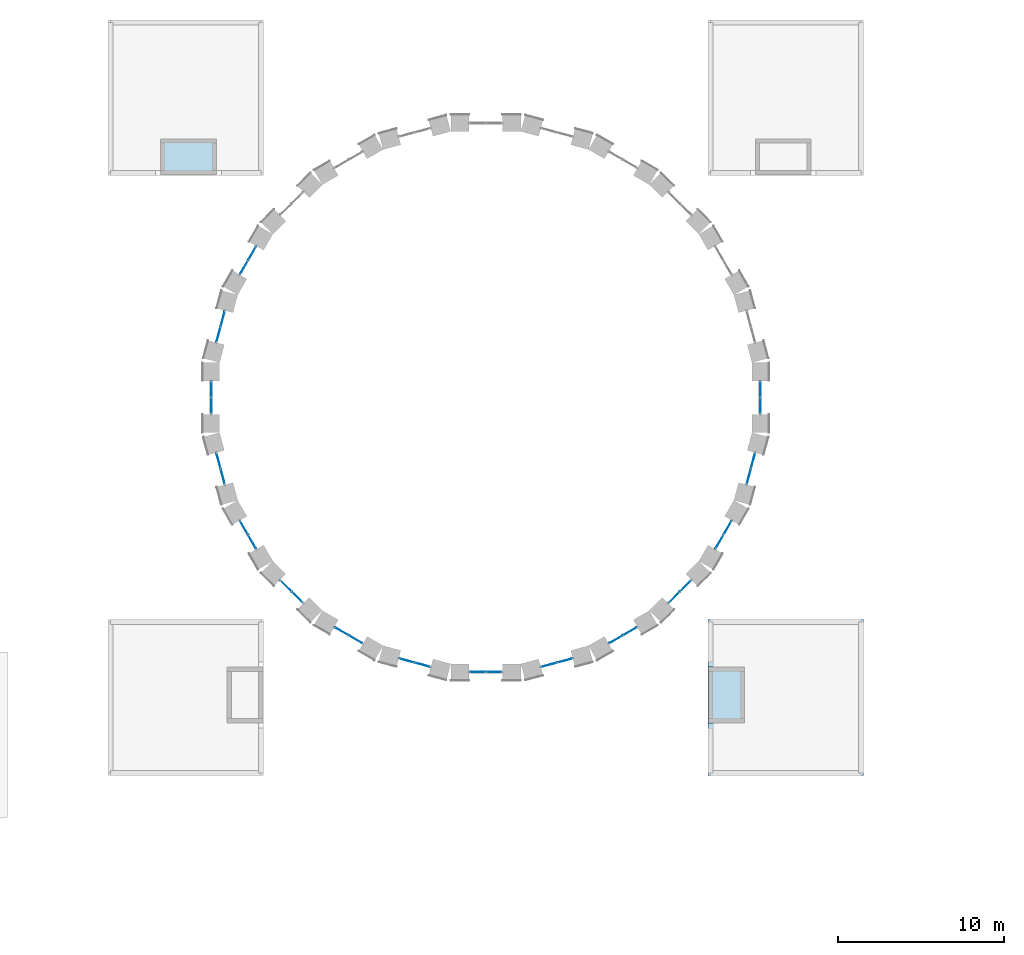
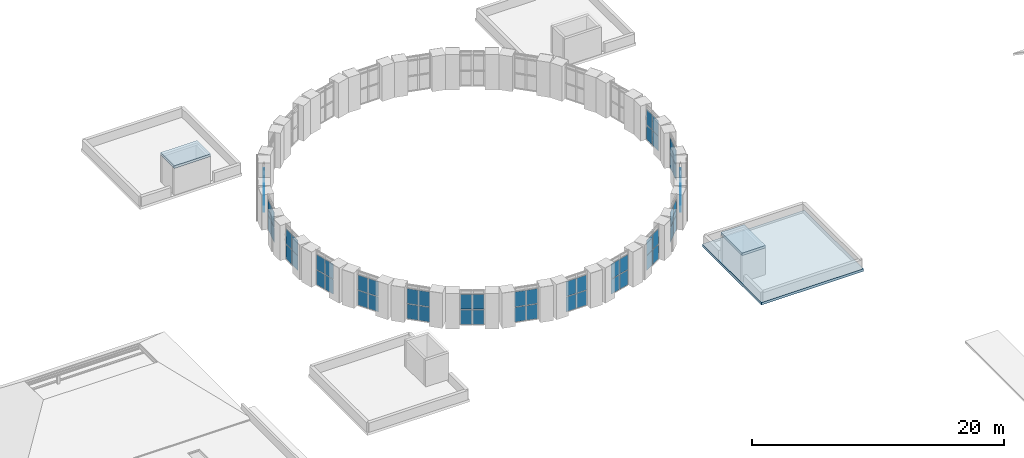
# One storey, part 20 of 42: 60 plates, 3 slabs, 15 elements without a shape of their own.
"""IFC4 building model written with IfcOpenShell, lengths in metres."""

from ifc_helpers import new_model, si_unit, direction, frame, origin, origin_2d, place, context, subcontext, project, spatial, polyline, rectangle, outline, extrude, material, layer, layer_set, type_object, element, aggregate, save


model = new_model("IFC4")

# Units and contexts
model_context = context("Model", 3, precision=1e-05, world=origin(), true_north=direction((0.0, 1.0)))
body_context = subcontext(model_context, "Body", "Model", "MODEL_VIEW")
ifc_project = project(units=[si_unit("LENGTHUNIT", "METRE"), si_unit("AREAUNIT", "SQUARE_METRE"), si_unit("VOLUMEUNIT", "CUBIC_METRE"), si_unit("PLANEANGLEUNIT", "RADIAN"), si_unit("MASSUNIT", "GRAM", prefix="KILO")], contexts=[model_context])

# Site, building, storey
site_placement = place(None, origin())
site = spatial("IfcSite", under=ifc_project, at=site_placement, CompositionType="ELEMENT")
building_placement = place(site_placement, origin())
building = spatial("IfcBuilding", under=site, at=building_placement, Name="Golden Quay Civic Hall", CompositionType="ELEMENT")
storey_placement = place(building_placement, frame((0.0, 0.0, 22.800048828125)))
storey = spatial("IfcBuildingStorey", under=building, at=storey_placement, Name="L05", CompositionType="ELEMENT", Elevation=22.800048828125)

# Slabs
ifc_material_1 = material(Name="Concrete C40/50", Category="concrete")
ifc_layer_1 = layer(ifc_material_1, 0.25)
ifc_layer_set_1 = layer_set([ifc_layer_1], Name="Core roof slab 250")
slab_type = type_object("IfcSlabType", Name="Core roof slab 250", PredefinedType="ROOF", material=ifc_layer_set_1)
slab_1_placement = place(storey_placement, frame((0.0, 0.0, -0.25)))
element("IfcSlab", 1, at=slab_1_placement, inside=storey, type_object=slab_type, Name="Core roof slab SE", PredefinedType="ROOF", context=body_context, shape_type="SweptSolid", body=[
    extrude(outline(polyline([(98.85009765625, 62.800048828125), (108.199951171875, 62.800048828125), (108.199951171875, 72.14990234375), (98.85009765625, 72.14990234375), (98.85009765625, 62.800048828125)])), origin(), (0.0, 0.0, 1.0), 0.25),
])
slab_2_placement = place(storey_placement, frame((0.0, 0.0, 2.599853515625)))
element("IfcSlab", 2, at=slab_2_placement, inside=storey, type_object=slab_type, Name="Lift overrun roof SE", PredefinedType="ROOF", context=body_context, shape_type="SweptSolid", body=[
    extrude(outline(polyline([(98.89990234375, 65.949951171875), (101.050048828125, 65.949951171875), (101.050048828125, 69.300048828125), (98.89990234375, 69.300048828125), (98.89990234375, 65.949951171875)])), origin(), (0.0, 0.0, 1.0), 0.25),
])
slab_3_placement = place(storey_placement, frame((0.0, 0.0, 2.599853515625)))
element("IfcSlab", 3, at=slab_3_placement, inside=storey, type_object=slab_type, Name="Lift overrun roof NW", PredefinedType="ROOF", context=body_context, shape_type="SweptSolid", body=[
    extrude(outline(polyline([(65.949951171875, 98.89990234375), (69.300048828125, 98.89990234375), (69.300048828125, 101.050048828125), (65.949951171875, 101.050048828125), (65.949951171875, 98.89990234375)])), origin(), (0.0, 0.0, 1.0), 0.25),
])

# Curtain wall, plates
ifc_material_2 = material(Name="Glass, laminated double glazed", Category="glass")
ifc_layer_2 = layer(ifc_material_2, 0.199951171875)
ifc_layer_set_2 = layer_set([ifc_layer_2], Name="Glazed drum clerestory curtain wall")
curtain_wall_type = type_object("IfcCurtainWallType", Name="Glazed drum clerestory curtain wall", PredefinedType="NOTDEFINED", material=ifc_layer_set_2)
curtain_wall_1_placement = place(storey_placement, origin())
curtain_wall_1 = element("IfcCurtainWall", 4, at=curtain_wall_1_placement, inside=storey, type_object=curtain_wall_type, Name="Clerestory curtain wall 10", PredefinedType="NOTDEFINED")
ifc_material_3 = material(Name="Glass, laminated double glazed", Category="glass")
ifc_layer_3 = layer(ifc_material_3, 0.028076171875)
ifc_layer_set_3 = layer_set([ifc_layer_3], Name="Double glazed curtain wall panel 28")
plate_type = type_object("IfcPlateType", Name="Double glazed curtain wall panel 28", PredefinedType="CURTAIN_PANEL", material=ifc_layer_set_3)
plate_1_placement = place(storey_placement, frame((71.453125, 94.169921875, 0.35986328125), z_axis=(0.0, 0.0, 1.0), x_axis=(-0.500011000366, -0.866019052627, 0.0)))
plate_1 = element("IfcPlate", 5, at=plate_1_placement, type_object=plate_type, Name="CW5 panel 1.1", PredefinedType="CURTAIN_PANEL", context=body_context, shape_type="SweptSolid", body=[
    extrude(rectangle(XDim=0.909912109375, YDim=0.028076171875, at=origin_2d()), origin(), (0.0, 0.0, 1.0), 1.409912109375),
])
plate_2_placement = place(storey_placement, frame((71.453125, 94.169921875, 1.830078125), z_axis=(0.0, 0.0, 1.0), x_axis=(-0.500011000366, -0.866019052627, 0.0)))
plate_2 = element("IfcPlate", 6, at=plate_2_placement, type_object=plate_type, Name="CW5 panel 1.2", PredefinedType="CURTAIN_PANEL", context=body_context, shape_type="SweptSolid", body=[
    extrude(rectangle(XDim=0.909912109375, YDim=0.028076171875, at=origin_2d()), origin(), (0.0, 0.0, 1.0), 1.43994140625),
])
plate_3_placement = place(storey_placement, frame((70.968017578125, 93.330078125, 0.35986328125), z_axis=(0.0, 0.0, 1.0), x_axis=(-0.500011000366, -0.866019052627, 0.0)))
plate_3 = element("IfcPlate", 7, at=plate_3_placement, type_object=plate_type, Name="CW5 panel 2.1", PredefinedType="CURTAIN_PANEL", context=body_context, shape_type="SweptSolid", body=[
    extrude(rectangle(XDim=0.909912109375, YDim=0.028076171875, at=origin_2d()), origin(), (0.0, 0.0, 1.0), 1.409912109375),
])
plate_4_placement = place(storey_placement, frame((70.968017578125, 93.330078125, 1.830078125), z_axis=(0.0, 0.0, 1.0), x_axis=(-0.500011000366, -0.866019052627, 0.0)))
plate_4 = element("IfcPlate", 8, at=plate_4_placement, type_object=plate_type, Name="CW5 panel 2.2", PredefinedType="CURTAIN_PANEL", context=body_context, shape_type="SweptSolid", body=[
    extrude(rectangle(XDim=0.909912109375, YDim=0.028076171875, at=origin_2d()), origin(), (0.0, 0.0, 1.0), 1.43994140625),
])
aggregate(curtain_wall_1, [plate_1, plate_2, plate_3, plate_4])

curtain_wall_2_placement = place(storey_placement, origin())
curtain_wall_2 = element("IfcCurtainWall", 9, at=curtain_wall_2_placement, inside=storey, type_object=curtain_wall_type, Name="Clerestory curtain wall 11", PredefinedType="NOTDEFINED")
plate_5_placement = place(storey_placement, frame((69.687744140625, 90.239013671875, 0.35986328125), z_axis=(0.0, 0.0, 1.0), x_axis=(-0.258807731996, -0.965928857556, 0.0)))
plate_5 = element("IfcPlate", 10, at=plate_5_placement, type_object=plate_type, Name="CW5 panel 1.1", PredefinedType="CURTAIN_PANEL", context=body_context, shape_type="SweptSolid", body=[
    extrude(rectangle(XDim=0.909912109375, YDim=0.028076171875, at=origin_2d()), origin(), (0.0, 0.0, 1.0), 1.409912109375),
])
plate_6_placement = place(storey_placement, frame((69.687744140625, 90.239013671875, 1.830078125), z_axis=(0.0, 0.0, 1.0), x_axis=(-0.258807731996, -0.965928857556, 0.0)))
plate_6 = element("IfcPlate", 11, at=plate_6_placement, type_object=plate_type, Name="CW5 panel 1.2", PredefinedType="CURTAIN_PANEL", context=body_context, shape_type="SweptSolid", body=[
    extrude(rectangle(XDim=0.909912109375, YDim=0.028076171875, at=origin_2d()), origin(), (0.0, 0.0, 1.0), 1.43994140625),
])
plate_7_placement = place(storey_placement, frame((69.436767578125, 89.302001953125, 0.35986328125), z_axis=(0.0, 0.0, 1.0), x_axis=(-0.258807731996, -0.965928857556, 0.0)))
plate_7 = element("IfcPlate", 12, at=plate_7_placement, type_object=plate_type, Name="CW5 panel 2.1", PredefinedType="CURTAIN_PANEL", context=body_context, shape_type="SweptSolid", body=[
    extrude(rectangle(XDim=0.909912109375, YDim=0.028076171875, at=origin_2d()), origin(), (0.0, 0.0, 1.0), 1.409912109375),
])
plate_8_placement = place(storey_placement, frame((69.436767578125, 89.302001953125, 1.830078125), z_axis=(0.0, 0.0, 1.0), x_axis=(-0.258807731996, -0.965928857556, 0.0)))
plate_8 = element("IfcPlate", 13, at=plate_8_placement, type_object=plate_type, Name="CW5 panel 2.2", PredefinedType="CURTAIN_PANEL", context=body_context, shape_type="SweptSolid", body=[
    extrude(rectangle(XDim=0.909912109375, YDim=0.028076171875, at=origin_2d()), origin(), (0.0, 0.0, 1.0), 1.43994140625),
])
aggregate(curtain_wall_2, [plate_5, plate_6, plate_7, plate_8])

curtain_wall_3_placement = place(storey_placement, origin())
curtain_wall_3 = element("IfcCurtainWall", 14, at=curtain_wall_3_placement, inside=storey, type_object=curtain_wall_type, Name="Clerestory curtain wall 12", PredefinedType="NOTDEFINED")
plate_9_placement = place(storey_placement, frame((69.0, 85.985107421875, 0.35986328125), z_axis=(0.0, 0.0, 1.0), x_axis=(0.0, -1.0, 0.0)))
plate_9 = element("IfcPlate", 15, at=plate_9_placement, type_object=plate_type, Name="CW5 panel 1.1", PredefinedType="CURTAIN_PANEL", context=body_context, shape_type="SweptSolid", body=[
    extrude(rectangle(XDim=0.909912109375, YDim=0.028076171875, at=origin_2d()), origin(), (0.0, 0.0, 1.0), 1.409912109375),
])
plate_10_placement = place(storey_placement, frame((69.0, 85.985107421875, 1.830078125), z_axis=(0.0, 0.0, 1.0), x_axis=(0.0, -1.0, 0.0)))
plate_10 = element("IfcPlate", 16, at=plate_10_placement, type_object=plate_type, Name="CW5 panel 1.2", PredefinedType="CURTAIN_PANEL", context=body_context, shape_type="SweptSolid", body=[
    extrude(rectangle(XDim=0.909912109375, YDim=0.028076171875, at=origin_2d()), origin(), (0.0, 0.0, 1.0), 1.43994140625),
])
plate_11_placement = place(storey_placement, frame((69.0, 85.014892578125, 0.35986328125), z_axis=(0.0, 0.0, 1.0), x_axis=(0.0, -1.0, 0.0)))
plate_11 = element("IfcPlate", 17, at=plate_11_placement, type_object=plate_type, Name="CW5 panel 2.1", PredefinedType="CURTAIN_PANEL", context=body_context, shape_type="SweptSolid", body=[
    extrude(rectangle(XDim=0.909912109375, YDim=0.028076171875, at=origin_2d()), origin(), (0.0, 0.0, 1.0), 1.409912109375),
])
plate_12_placement = place(storey_placement, frame((69.0, 85.014892578125, 1.830078125), z_axis=(0.0, 0.0, 1.0), x_axis=(0.0, -1.0, 0.0)))
plate_12 = element("IfcPlate", 18, at=plate_12_placement, type_object=plate_type, Name="CW5 panel 2.2", PredefinedType="CURTAIN_PANEL", context=body_context, shape_type="SweptSolid", body=[
    extrude(rectangle(XDim=0.909912109375, YDim=0.028076171875, at=origin_2d()), origin(), (0.0, 0.0, 1.0), 1.43994140625),
])
aggregate(curtain_wall_3, [plate_9, plate_10, plate_11, plate_12])

curtain_wall_4_placement = place(storey_placement, origin())
curtain_wall_4 = element("IfcCurtainWall", 19, at=curtain_wall_4_placement, inside=storey, type_object=curtain_wall_type, Name="Clerestory curtain wall 13", PredefinedType="NOTDEFINED")
plate_13_placement = place(storey_placement, frame((69.436767578125, 81.697998046875, 0.35986328125), z_axis=(0.0, 0.0, 1.0), x_axis=(0.258807731996, -0.965928857556, 0.0)))
plate_13 = element("IfcPlate", 20, at=plate_13_placement, type_object=plate_type, Name="CW5 panel 1.1", PredefinedType="CURTAIN_PANEL", context=body_context, shape_type="SweptSolid", body=[
    extrude(rectangle(XDim=0.909912109375, YDim=0.028076171875, at=origin_2d()), origin(), (0.0, 0.0, 1.0), 1.409912109375),
])
plate_14_placement = place(storey_placement, frame((69.436767578125, 81.697998046875, 1.830078125), z_axis=(0.0, 0.0, 1.0), x_axis=(0.258807731996, -0.965928857556, 0.0)))
plate_14 = element("IfcPlate", 21, at=plate_14_placement, type_object=plate_type, Name="CW5 panel 1.2", PredefinedType="CURTAIN_PANEL", context=body_context, shape_type="SweptSolid", body=[
    extrude(rectangle(XDim=0.909912109375, YDim=0.028076171875, at=origin_2d()), origin(), (0.0, 0.0, 1.0), 1.43994140625),
])
plate_15_placement = place(storey_placement, frame((69.687744140625, 80.760986328125, 0.35986328125), z_axis=(0.0, 0.0, 1.0), x_axis=(0.258807731996, -0.965928857556, 0.0)))
plate_15 = element("IfcPlate", 22, at=plate_15_placement, type_object=plate_type, Name="CW5 panel 2.1", PredefinedType="CURTAIN_PANEL", context=body_context, shape_type="SweptSolid", body=[
    extrude(rectangle(XDim=0.909912109375, YDim=0.028076171875, at=origin_2d()), origin(), (0.0, 0.0, 1.0), 1.409912109375),
])
plate_16_placement = place(storey_placement, frame((69.687744140625, 80.760986328125, 1.830078125), z_axis=(0.0, 0.0, 1.0), x_axis=(0.258807731996, -0.965928857556, 0.0)))
plate_16 = element("IfcPlate", 23, at=plate_16_placement, type_object=plate_type, Name="CW5 panel 2.2", PredefinedType="CURTAIN_PANEL", context=body_context, shape_type="SweptSolid", body=[
    extrude(rectangle(XDim=0.909912109375, YDim=0.028076171875, at=origin_2d()), origin(), (0.0, 0.0, 1.0), 1.43994140625),
])
aggregate(curtain_wall_4, [plate_13, plate_14, plate_15, plate_16])

curtain_wall_5_placement = place(storey_placement, origin())
curtain_wall_5 = element("IfcCurtainWall", 24, at=curtain_wall_5_placement, inside=storey, type_object=curtain_wall_type, Name="Clerestory curtain wall 14", PredefinedType="NOTDEFINED")
plate_17_placement = place(storey_placement, frame((70.968017578125, 77.669921875, 0.35986328125), z_axis=(0.0, 0.0, 1.0), x_axis=(0.500011000366, -0.866019052627, 0.0)))
plate_17 = element("IfcPlate", 25, at=plate_17_placement, type_object=plate_type, Name="CW5 panel 1.1", PredefinedType="CURTAIN_PANEL", context=body_context, shape_type="SweptSolid", body=[
    extrude(rectangle(XDim=0.909912109375, YDim=0.028076171875, at=origin_2d()), origin(), (0.0, 0.0, 1.0), 1.409912109375),
])
plate_18_placement = place(storey_placement, frame((70.968017578125, 77.669921875, 1.830078125), z_axis=(0.0, 0.0, 1.0), x_axis=(0.500011000366, -0.866019052627, 0.0)))
plate_18 = element("IfcPlate", 26, at=plate_18_placement, type_object=plate_type, Name="CW5 panel 1.2", PredefinedType="CURTAIN_PANEL", context=body_context, shape_type="SweptSolid", body=[
    extrude(rectangle(XDim=0.909912109375, YDim=0.028076171875, at=origin_2d()), origin(), (0.0, 0.0, 1.0), 1.43994140625),
])
plate_19_placement = place(storey_placement, frame((71.453125, 76.830078125, 0.35986328125), z_axis=(0.0, 0.0, 1.0), x_axis=(0.500011000366, -0.866019052627, 0.0)))
plate_19 = element("IfcPlate", 27, at=plate_19_placement, type_object=plate_type, Name="CW5 panel 2.1", PredefinedType="CURTAIN_PANEL", context=body_context, shape_type="SweptSolid", body=[
    extrude(rectangle(XDim=0.909912109375, YDim=0.028076171875, at=origin_2d()), origin(), (0.0, 0.0, 1.0), 1.409912109375),
])
plate_20_placement = place(storey_placement, frame((71.453125, 76.830078125, 1.830078125), z_axis=(0.0, 0.0, 1.0), x_axis=(0.500011000366, -0.866019052627, 0.0)))
plate_20 = element("IfcPlate", 28, at=plate_20_placement, type_object=plate_type, Name="CW5 panel 2.2", PredefinedType="CURTAIN_PANEL", context=body_context, shape_type="SweptSolid", body=[
    extrude(rectangle(XDim=0.909912109375, YDim=0.028076171875, at=origin_2d()), origin(), (0.0, 0.0, 1.0), 1.43994140625),
])
aggregate(curtain_wall_5, [plate_17, plate_18, plate_19, plate_20])

curtain_wall_6_placement = place(storey_placement, origin())
curtain_wall_6 = element("IfcCurtainWall", 29, at=curtain_wall_6_placement, inside=storey, type_object=curtain_wall_type, Name="Clerestory curtain wall 15", PredefinedType="NOTDEFINED")
plate_21_placement = place(storey_placement, frame((73.48974609375, 74.175537109375, 0.35986328125), z_axis=(0.0, 0.0, 1.0), x_axis=(0.707106781187, -0.707106781187, 0.0)))
plate_21 = element("IfcPlate", 30, at=plate_21_placement, type_object=plate_type, Name="CW5 panel 1.1", PredefinedType="CURTAIN_PANEL", context=body_context, shape_type="SweptSolid", body=[
    extrude(rectangle(XDim=0.909912109375, YDim=0.028076171875, at=origin_2d()), origin(), (0.0, 0.0, 1.0), 1.409912109375),
])
plate_22_placement = place(storey_placement, frame((73.48974609375, 74.175537109375, 1.830078125), z_axis=(0.0, 0.0, 1.0), x_axis=(0.707106781187, -0.707106781187, 0.0)))
plate_22 = element("IfcPlate", 31, at=plate_22_placement, type_object=plate_type, Name="CW5 panel 1.2", PredefinedType="CURTAIN_PANEL", context=body_context, shape_type="SweptSolid", body=[
    extrude(rectangle(XDim=0.909912109375, YDim=0.028076171875, at=origin_2d()), origin(), (0.0, 0.0, 1.0), 1.43994140625),
])
plate_23_placement = place(storey_placement, frame((74.175537109375, 73.48974609375, 0.35986328125), z_axis=(0.0, 0.0, 1.0), x_axis=(0.707106781187, -0.707106781187, 0.0)))
plate_23 = element("IfcPlate", 32, at=plate_23_placement, type_object=plate_type, Name="CW5 panel 2.1", PredefinedType="CURTAIN_PANEL", context=body_context, shape_type="SweptSolid", body=[
    extrude(rectangle(XDim=0.909912109375, YDim=0.028076171875, at=origin_2d()), origin(), (0.0, 0.0, 1.0), 1.409912109375),
])
plate_24_placement = place(storey_placement, frame((74.175537109375, 73.48974609375, 1.830078125), z_axis=(0.0, 0.0, 1.0), x_axis=(0.707106781187, -0.707106781187, 0.0)))
plate_24 = element("IfcPlate", 33, at=plate_24_placement, type_object=plate_type, Name="CW5 panel 2.2", PredefinedType="CURTAIN_PANEL", context=body_context, shape_type="SweptSolid", body=[
    extrude(rectangle(XDim=0.909912109375, YDim=0.028076171875, at=origin_2d()), origin(), (0.0, 0.0, 1.0), 1.43994140625),
])
aggregate(curtain_wall_6, [plate_21, plate_22, plate_23, plate_24])

curtain_wall_7_placement = place(storey_placement, origin())
curtain_wall_7 = element("IfcCurtainWall", 34, at=curtain_wall_7_placement, inside=storey, type_object=curtain_wall_type, Name="Clerestory curtain wall 16", PredefinedType="NOTDEFINED")
plate_25_placement = place(storey_placement, frame((76.830078125, 71.453125, 0.35986328125), z_axis=(0.0, 0.0, 1.0), x_axis=(0.866019052627, -0.500011000366, 0.0)))
plate_25 = element("IfcPlate", 35, at=plate_25_placement, type_object=plate_type, Name="CW5 panel 1.1", PredefinedType="CURTAIN_PANEL", context=body_context, shape_type="SweptSolid", body=[
    extrude(rectangle(XDim=0.909912109375, YDim=0.028076171875, at=origin_2d()), origin(), (0.0, 0.0, 1.0), 1.409912109375),
])
plate_26_placement = place(storey_placement, frame((76.830078125, 71.453125, 1.830078125), z_axis=(0.0, 0.0, 1.0), x_axis=(0.866019052627, -0.500011000366, 0.0)))
plate_26 = element("IfcPlate", 36, at=plate_26_placement, type_object=plate_type, Name="CW5 panel 1.2", PredefinedType="CURTAIN_PANEL", context=body_context, shape_type="SweptSolid", body=[
    extrude(rectangle(XDim=0.909912109375, YDim=0.028076171875, at=origin_2d()), origin(), (0.0, 0.0, 1.0), 1.43994140625),
])
plate_27_placement = place(storey_placement, frame((77.669921875, 70.968017578125, 0.35986328125), z_axis=(0.0, 0.0, 1.0), x_axis=(0.866019052627, -0.500011000366, 0.0)))
plate_27 = element("IfcPlate", 37, at=plate_27_placement, type_object=plate_type, Name="CW5 panel 2.1", PredefinedType="CURTAIN_PANEL", context=body_context, shape_type="SweptSolid", body=[
    extrude(rectangle(XDim=0.909912109375, YDim=0.028076171875, at=origin_2d()), origin(), (0.0, 0.0, 1.0), 1.409912109375),
])
plate_28_placement = place(storey_placement, frame((77.669921875, 70.968017578125, 1.830078125), z_axis=(0.0, 0.0, 1.0), x_axis=(0.866019052627, -0.500011000366, 0.0)))
plate_28 = element("IfcPlate", 38, at=plate_28_placement, type_object=plate_type, Name="CW5 panel 2.2", PredefinedType="CURTAIN_PANEL", context=body_context, shape_type="SweptSolid", body=[
    extrude(rectangle(XDim=0.909912109375, YDim=0.028076171875, at=origin_2d()), origin(), (0.0, 0.0, 1.0), 1.43994140625),
])
aggregate(curtain_wall_7, [plate_25, plate_26, plate_27, plate_28])

curtain_wall_8_placement = place(storey_placement, origin())
curtain_wall_8 = element("IfcCurtainWall", 39, at=curtain_wall_8_placement, inside=storey, type_object=curtain_wall_type, Name="Clerestory curtain wall 17", PredefinedType="NOTDEFINED")
plate_29_placement = place(storey_placement, frame((80.760986328125, 69.687744140625, 0.35986328125), z_axis=(0.0, 0.0, 1.0), x_axis=(0.965928857556, -0.258807731996, 0.0)))
plate_29 = element("IfcPlate", 40, at=plate_29_placement, type_object=plate_type, Name="CW5 panel 1.1", PredefinedType="CURTAIN_PANEL", context=body_context, shape_type="SweptSolid", body=[
    extrude(rectangle(XDim=0.909912109375, YDim=0.028076171875, at=origin_2d()), origin(), (0.0, 0.0, 1.0), 1.409912109375),
])
plate_30_placement = place(storey_placement, frame((80.760986328125, 69.687744140625, 1.830078125), z_axis=(0.0, 0.0, 1.0), x_axis=(0.965928857556, -0.258807731996, 0.0)))
plate_30 = element("IfcPlate", 41, at=plate_30_placement, type_object=plate_type, Name="CW5 panel 1.2", PredefinedType="CURTAIN_PANEL", context=body_context, shape_type="SweptSolid", body=[
    extrude(rectangle(XDim=0.909912109375, YDim=0.028076171875, at=origin_2d()), origin(), (0.0, 0.0, 1.0), 1.43994140625),
])
plate_31_placement = place(storey_placement, frame((81.697998046875, 69.436767578125, 0.35986328125), z_axis=(0.0, 0.0, 1.0), x_axis=(0.965928857556, -0.258807731996, 0.0)))
plate_31 = element("IfcPlate", 42, at=plate_31_placement, type_object=plate_type, Name="CW5 panel 2.1", PredefinedType="CURTAIN_PANEL", context=body_context, shape_type="SweptSolid", body=[
    extrude(rectangle(XDim=0.909912109375, YDim=0.028076171875, at=origin_2d()), origin(), (0.0, 0.0, 1.0), 1.409912109375),
])
plate_32_placement = place(storey_placement, frame((81.697998046875, 69.436767578125, 1.830078125), z_axis=(0.0, 0.0, 1.0), x_axis=(0.965928857556, -0.258807731996, 0.0)))
plate_32 = element("IfcPlate", 43, at=plate_32_placement, type_object=plate_type, Name="CW5 panel 2.2", PredefinedType="CURTAIN_PANEL", context=body_context, shape_type="SweptSolid", body=[
    extrude(rectangle(XDim=0.909912109375, YDim=0.028076171875, at=origin_2d()), origin(), (0.0, 0.0, 1.0), 1.43994140625),
])
aggregate(curtain_wall_8, [plate_29, plate_30, plate_31, plate_32])

curtain_wall_9_placement = place(storey_placement, origin())
curtain_wall_9 = element("IfcCurtainWall", 44, at=curtain_wall_9_placement, inside=storey, type_object=curtain_wall_type, Name="Clerestory curtain wall 18", PredefinedType="NOTDEFINED")
plate_33_placement = place(storey_placement, frame((85.014892578125, 69.0, 0.35986328125), z_axis=(0.0, 0.0, 1.0), x_axis=(1.0, 0.0, 0.0)))
plate_33 = element("IfcPlate", 45, at=plate_33_placement, type_object=plate_type, Name="CW5 panel 1.1", PredefinedType="CURTAIN_PANEL", context=body_context, shape_type="SweptSolid", body=[
    extrude(rectangle(XDim=0.909912109375, YDim=0.028076171875, at=origin_2d()), origin(), (0.0, 0.0, 1.0), 1.409912109375),
])
plate_34_placement = place(storey_placement, frame((85.014892578125, 69.0, 1.830078125), z_axis=(0.0, 0.0, 1.0), x_axis=(1.0, 0.0, 0.0)))
plate_34 = element("IfcPlate", 46, at=plate_34_placement, type_object=plate_type, Name="CW5 panel 1.2", PredefinedType="CURTAIN_PANEL", context=body_context, shape_type="SweptSolid", body=[
    extrude(rectangle(XDim=0.909912109375, YDim=0.028076171875, at=origin_2d()), origin(), (0.0, 0.0, 1.0), 1.43994140625),
])
plate_35_placement = place(storey_placement, frame((85.985107421875, 69.0, 0.35986328125), z_axis=(0.0, 0.0, 1.0), x_axis=(1.0, 0.0, 0.0)))
plate_35 = element("IfcPlate", 47, at=plate_35_placement, type_object=plate_type, Name="CW5 panel 2.1", PredefinedType="CURTAIN_PANEL", context=body_context, shape_type="SweptSolid", body=[
    extrude(rectangle(XDim=0.909912109375, YDim=0.028076171875, at=origin_2d()), origin(), (0.0, 0.0, 1.0), 1.409912109375),
])
plate_36_placement = place(storey_placement, frame((85.985107421875, 69.0, 1.830078125), z_axis=(0.0, 0.0, 1.0), x_axis=(1.0, 0.0, 0.0)))
plate_36 = element("IfcPlate", 48, at=plate_36_placement, type_object=plate_type, Name="CW5 panel 2.2", PredefinedType="CURTAIN_PANEL", context=body_context, shape_type="SweptSolid", body=[
    extrude(rectangle(XDim=0.909912109375, YDim=0.028076171875, at=origin_2d()), origin(), (0.0, 0.0, 1.0), 1.43994140625),
])
aggregate(curtain_wall_9, [plate_33, plate_34, plate_35, plate_36])

curtain_wall_10_placement = place(storey_placement, origin())
curtain_wall_10 = element("IfcCurtainWall", 49, at=curtain_wall_10_placement, inside=storey, type_object=curtain_wall_type, Name="Clerestory curtain wall 19", PredefinedType="NOTDEFINED")
plate_37_placement = place(storey_placement, frame((89.302001953125, 69.436767578125, 0.35986328125), z_axis=(0.0, 0.0, 1.0), x_axis=(0.965928857556, 0.258807731996, 0.0)))
plate_37 = element("IfcPlate", 50, at=plate_37_placement, type_object=plate_type, Name="CW5 panel 1.1", PredefinedType="CURTAIN_PANEL", context=body_context, shape_type="SweptSolid", body=[
    extrude(rectangle(XDim=0.909912109375, YDim=0.028076171875, at=origin_2d()), origin(), (0.0, 0.0, 1.0), 1.409912109375),
])
plate_38_placement = place(storey_placement, frame((89.302001953125, 69.436767578125, 1.830078125), z_axis=(0.0, 0.0, 1.0), x_axis=(0.965928857556, 0.258807731996, 0.0)))
plate_38 = element("IfcPlate", 51, at=plate_38_placement, type_object=plate_type, Name="CW5 panel 1.2", PredefinedType="CURTAIN_PANEL", context=body_context, shape_type="SweptSolid", body=[
    extrude(rectangle(XDim=0.909912109375, YDim=0.028076171875, at=origin_2d()), origin(), (0.0, 0.0, 1.0), 1.43994140625),
])
plate_39_placement = place(storey_placement, frame((90.239013671875, 69.687744140625, 0.35986328125), z_axis=(0.0, 0.0, 1.0), x_axis=(0.965928857556, 0.258807731996, 0.0)))
plate_39 = element("IfcPlate", 52, at=plate_39_placement, type_object=plate_type, Name="CW5 panel 2.1", PredefinedType="CURTAIN_PANEL", context=body_context, shape_type="SweptSolid", body=[
    extrude(rectangle(XDim=0.909912109375, YDim=0.028076171875, at=origin_2d()), origin(), (0.0, 0.0, 1.0), 1.409912109375),
])
plate_40_placement = place(storey_placement, frame((90.239013671875, 69.687744140625, 1.830078125), z_axis=(0.0, 0.0, 1.0), x_axis=(0.965928857556, 0.258807731996, 0.0)))
plate_40 = element("IfcPlate", 53, at=plate_40_placement, type_object=plate_type, Name="CW5 panel 2.2", PredefinedType="CURTAIN_PANEL", context=body_context, shape_type="SweptSolid", body=[
    extrude(rectangle(XDim=0.909912109375, YDim=0.028076171875, at=origin_2d()), origin(), (0.0, 0.0, 1.0), 1.43994140625),
])
aggregate(curtain_wall_10, [plate_37, plate_38, plate_39, plate_40])

curtain_wall_11_placement = place(storey_placement, origin())
curtain_wall_11 = element("IfcCurtainWall", 54, at=curtain_wall_11_placement, inside=storey, type_object=curtain_wall_type, Name="Clerestory curtain wall 20", PredefinedType="NOTDEFINED")
plate_41_placement = place(storey_placement, frame((93.330078125, 70.968017578125, 0.35986328125), z_axis=(0.0, 0.0, 1.0), x_axis=(0.866019052627, 0.500011000366, 0.0)))
plate_41 = element("IfcPlate", 55, at=plate_41_placement, type_object=plate_type, Name="CW5 panel 1.1", PredefinedType="CURTAIN_PANEL", context=body_context, shape_type="SweptSolid", body=[
    extrude(rectangle(XDim=0.909912109375, YDim=0.028076171875, at=origin_2d()), origin(), (0.0, 0.0, 1.0), 1.409912109375),
])
plate_42_placement = place(storey_placement, frame((93.330078125, 70.968017578125, 1.830078125), z_axis=(0.0, 0.0, 1.0), x_axis=(0.866019052627, 0.500011000366, 0.0)))
plate_42 = element("IfcPlate", 56, at=plate_42_placement, type_object=plate_type, Name="CW5 panel 1.2", PredefinedType="CURTAIN_PANEL", context=body_context, shape_type="SweptSolid", body=[
    extrude(rectangle(XDim=0.909912109375, YDim=0.028076171875, at=origin_2d()), origin(), (0.0, 0.0, 1.0), 1.43994140625),
])
plate_43_placement = place(storey_placement, frame((94.169921875, 71.453125, 0.35986328125), z_axis=(0.0, 0.0, 1.0), x_axis=(0.866019052627, 0.500011000366, 0.0)))
plate_43 = element("IfcPlate", 57, at=plate_43_placement, type_object=plate_type, Name="CW5 panel 2.1", PredefinedType="CURTAIN_PANEL", context=body_context, shape_type="SweptSolid", body=[
    extrude(rectangle(XDim=0.909912109375, YDim=0.028076171875, at=origin_2d()), origin(), (0.0, 0.0, 1.0), 1.409912109375),
])
plate_44_placement = place(storey_placement, frame((94.169921875, 71.453125, 1.830078125), z_axis=(0.0, 0.0, 1.0), x_axis=(0.866019052627, 0.500011000366, 0.0)))
plate_44 = element("IfcPlate", 58, at=plate_44_placement, type_object=plate_type, Name="CW5 panel 2.2", PredefinedType="CURTAIN_PANEL", context=body_context, shape_type="SweptSolid", body=[
    extrude(rectangle(XDim=0.909912109375, YDim=0.028076171875, at=origin_2d()), origin(), (0.0, 0.0, 1.0), 1.43994140625),
])
aggregate(curtain_wall_11, [plate_41, plate_42, plate_43, plate_44])

curtain_wall_12_placement = place(storey_placement, origin())
curtain_wall_12 = element("IfcCurtainWall", 59, at=curtain_wall_12_placement, inside=storey, type_object=curtain_wall_type, Name="Clerestory curtain wall 21", PredefinedType="NOTDEFINED")
plate_45_placement = place(storey_placement, frame((96.824462890625, 73.48974609375, 0.35986328125), z_axis=(0.0, 0.0, 1.0), x_axis=(0.707106781187, 0.707106781187, 0.0)))
plate_45 = element("IfcPlate", 60, at=plate_45_placement, type_object=plate_type, Name="CW5 panel 1.1", PredefinedType="CURTAIN_PANEL", context=body_context, shape_type="SweptSolid", body=[
    extrude(rectangle(XDim=0.909912109375, YDim=0.028076171875, at=origin_2d()), origin(), (0.0, 0.0, 1.0), 1.409912109375),
])
plate_46_placement = place(storey_placement, frame((96.824462890625, 73.48974609375, 1.830078125), z_axis=(0.0, 0.0, 1.0), x_axis=(0.707106781187, 0.707106781187, 0.0)))
plate_46 = element("IfcPlate", 61, at=plate_46_placement, type_object=plate_type, Name="CW5 panel 1.2", PredefinedType="CURTAIN_PANEL", context=body_context, shape_type="SweptSolid", body=[
    extrude(rectangle(XDim=0.909912109375, YDim=0.028076171875, at=origin_2d()), origin(), (0.0, 0.0, 1.0), 1.43994140625),
])
plate_47_placement = place(storey_placement, frame((97.51025390625, 74.175537109375, 0.35986328125), z_axis=(0.0, 0.0, 1.0), x_axis=(0.707106781187, 0.707106781187, 0.0)))
plate_47 = element("IfcPlate", 62, at=plate_47_placement, type_object=plate_type, Name="CW5 panel 2.1", PredefinedType="CURTAIN_PANEL", context=body_context, shape_type="SweptSolid", body=[
    extrude(rectangle(XDim=0.909912109375, YDim=0.028076171875, at=origin_2d()), origin(), (0.0, 0.0, 1.0), 1.409912109375),
])
plate_48_placement = place(storey_placement, frame((97.51025390625, 74.175537109375, 1.830078125), z_axis=(0.0, 0.0, 1.0), x_axis=(0.707106781187, 0.707106781187, 0.0)))
plate_48 = element("IfcPlate", 63, at=plate_48_placement, type_object=plate_type, Name="CW5 panel 2.2", PredefinedType="CURTAIN_PANEL", context=body_context, shape_type="SweptSolid", body=[
    extrude(rectangle(XDim=0.909912109375, YDim=0.028076171875, at=origin_2d()), origin(), (0.0, 0.0, 1.0), 1.43994140625),
])
aggregate(curtain_wall_12, [plate_45, plate_46, plate_47, plate_48])

curtain_wall_13_placement = place(storey_placement, origin())
curtain_wall_13 = element("IfcCurtainWall", 64, at=curtain_wall_13_placement, inside=storey, type_object=curtain_wall_type, Name="Clerestory curtain wall 22", PredefinedType="NOTDEFINED")
plate_49_placement = place(storey_placement, frame((99.546875, 76.830078125, 0.35986328125), z_axis=(0.0, 0.0, 1.0), x_axis=(0.500011000366, 0.866019052627, 0.0)))
plate_49 = element("IfcPlate", 65, at=plate_49_placement, type_object=plate_type, Name="CW5 panel 1.1", PredefinedType="CURTAIN_PANEL", context=body_context, shape_type="SweptSolid", body=[
    extrude(rectangle(XDim=0.909912109375, YDim=0.028076171875, at=origin_2d()), origin(), (0.0, 0.0, 1.0), 1.409912109375),
])
plate_50_placement = place(storey_placement, frame((99.546875, 76.830078125, 1.830078125), z_axis=(0.0, 0.0, 1.0), x_axis=(0.500011000366, 0.866019052627, 0.0)))
plate_50 = element("IfcPlate", 66, at=plate_50_placement, type_object=plate_type, Name="CW5 panel 1.2", PredefinedType="CURTAIN_PANEL", context=body_context, shape_type="SweptSolid", body=[
    extrude(rectangle(XDim=0.909912109375, YDim=0.028076171875, at=origin_2d()), origin(), (0.0, 0.0, 1.0), 1.43994140625),
])
plate_51_placement = place(storey_placement, frame((100.031982421875, 77.669921875, 0.35986328125), z_axis=(0.0, 0.0, 1.0), x_axis=(0.500011000366, 0.866019052627, 0.0)))
plate_51 = element("IfcPlate", 67, at=plate_51_placement, type_object=plate_type, Name="CW5 panel 2.1", PredefinedType="CURTAIN_PANEL", context=body_context, shape_type="SweptSolid", body=[
    extrude(rectangle(XDim=0.909912109375, YDim=0.028076171875, at=origin_2d()), origin(), (0.0, 0.0, 1.0), 1.409912109375),
])
plate_52_placement = place(storey_placement, frame((100.031982421875, 77.669921875, 1.830078125), z_axis=(0.0, 0.0, 1.0), x_axis=(0.500011000366, 0.866019052627, 0.0)))
plate_52 = element("IfcPlate", 68, at=plate_52_placement, type_object=plate_type, Name="CW5 panel 2.2", PredefinedType="CURTAIN_PANEL", context=body_context, shape_type="SweptSolid", body=[
    extrude(rectangle(XDim=0.909912109375, YDim=0.028076171875, at=origin_2d()), origin(), (0.0, 0.0, 1.0), 1.43994140625),
])
aggregate(curtain_wall_13, [plate_49, plate_50, plate_51, plate_52])

curtain_wall_14_placement = place(storey_placement, origin())
curtain_wall_14 = element("IfcCurtainWall", 69, at=curtain_wall_14_placement, inside=storey, type_object=curtain_wall_type, Name="Clerestory curtain wall 23", PredefinedType="NOTDEFINED")
plate_53_placement = place(storey_placement, frame((101.312255859375, 80.760986328125, 0.35986328125), z_axis=(0.0, 0.0, 1.0), x_axis=(0.258807731996, 0.965928857556, 0.0)))
plate_53 = element("IfcPlate", 70, at=plate_53_placement, type_object=plate_type, Name="CW5 panel 1.1", PredefinedType="CURTAIN_PANEL", context=body_context, shape_type="SweptSolid", body=[
    extrude(rectangle(XDim=0.909912109375, YDim=0.028076171875, at=origin_2d()), origin(), (0.0, 0.0, 1.0), 1.409912109375),
])
plate_54_placement = place(storey_placement, frame((101.312255859375, 80.760986328125, 1.830078125), z_axis=(0.0, 0.0, 1.0), x_axis=(0.258807731996, 0.965928857556, 0.0)))
plate_54 = element("IfcPlate", 71, at=plate_54_placement, type_object=plate_type, Name="CW5 panel 1.2", PredefinedType="CURTAIN_PANEL", context=body_context, shape_type="SweptSolid", body=[
    extrude(rectangle(XDim=0.909912109375, YDim=0.028076171875, at=origin_2d()), origin(), (0.0, 0.0, 1.0), 1.43994140625),
])
plate_55_placement = place(storey_placement, frame((101.563232421875, 81.697998046875, 0.35986328125), z_axis=(0.0, 0.0, 1.0), x_axis=(0.258807731996, 0.965928857556, 0.0)))
plate_55 = element("IfcPlate", 72, at=plate_55_placement, type_object=plate_type, Name="CW5 panel 2.1", PredefinedType="CURTAIN_PANEL", context=body_context, shape_type="SweptSolid", body=[
    extrude(rectangle(XDim=0.909912109375, YDim=0.028076171875, at=origin_2d()), origin(), (0.0, 0.0, 1.0), 1.409912109375),
])
plate_56_placement = place(storey_placement, frame((101.563232421875, 81.697998046875, 1.830078125), z_axis=(0.0, 0.0, 1.0), x_axis=(0.258807731996, 0.965928857556, 0.0)))
plate_56 = element("IfcPlate", 73, at=plate_56_placement, type_object=plate_type, Name="CW5 panel 2.2", PredefinedType="CURTAIN_PANEL", context=body_context, shape_type="SweptSolid", body=[
    extrude(rectangle(XDim=0.909912109375, YDim=0.028076171875, at=origin_2d()), origin(), (0.0, 0.0, 1.0), 1.43994140625),
])
aggregate(curtain_wall_14, [plate_53, plate_54, plate_55, plate_56])

curtain_wall_15_placement = place(storey_placement, origin())
curtain_wall_15 = element("IfcCurtainWall", 74, at=curtain_wall_15_placement, inside=storey, type_object=curtain_wall_type, Name="Clerestory curtain wall 24", PredefinedType="NOTDEFINED")
plate_57_placement = place(storey_placement, frame((102.0, 85.014892578125, 0.35986328125), z_axis=(0.0, 0.0, 1.0), x_axis=(0.0, 1.0, 0.0)))
plate_57 = element("IfcPlate", 75, at=plate_57_placement, type_object=plate_type, Name="CW5 panel 1.1", PredefinedType="CURTAIN_PANEL", context=body_context, shape_type="SweptSolid", body=[
    extrude(rectangle(XDim=0.909912109375, YDim=0.028076171875, at=origin_2d()), origin(), (0.0, 0.0, 1.0), 1.409912109375),
])
plate_58_placement = place(storey_placement, frame((102.0, 85.014892578125, 1.830078125), z_axis=(0.0, 0.0, 1.0), x_axis=(0.0, 1.0, 0.0)))
plate_58 = element("IfcPlate", 76, at=plate_58_placement, type_object=plate_type, Name="CW5 panel 1.2", PredefinedType="CURTAIN_PANEL", context=body_context, shape_type="SweptSolid", body=[
    extrude(rectangle(XDim=0.909912109375, YDim=0.028076171875, at=origin_2d()), origin(), (0.0, 0.0, 1.0), 1.43994140625),
])
plate_59_placement = place(storey_placement, frame((102.0, 85.985107421875, 0.35986328125), z_axis=(0.0, 0.0, 1.0), x_axis=(0.0, 1.0, 0.0)))
plate_59 = element("IfcPlate", 77, at=plate_59_placement, type_object=plate_type, Name="CW5 panel 2.1", PredefinedType="CURTAIN_PANEL", context=body_context, shape_type="SweptSolid", body=[
    extrude(rectangle(XDim=0.909912109375, YDim=0.028076171875, at=origin_2d()), origin(), (0.0, 0.0, 1.0), 1.409912109375),
])
plate_60_placement = place(storey_placement, frame((102.0, 85.985107421875, 1.830078125), z_axis=(0.0, 0.0, 1.0), x_axis=(0.0, 1.0, 0.0)))
plate_60 = element("IfcPlate", 78, at=plate_60_placement, type_object=plate_type, Name="CW5 panel 2.2", PredefinedType="CURTAIN_PANEL", context=body_context, shape_type="SweptSolid", body=[
    extrude(rectangle(XDim=0.909912109375, YDim=0.028076171875, at=origin_2d()), origin(), (0.0, 0.0, 1.0), 1.43994140625),
])
aggregate(curtain_wall_15, [plate_57, plate_58, plate_59, plate_60])

save(model, "model.ifc")
